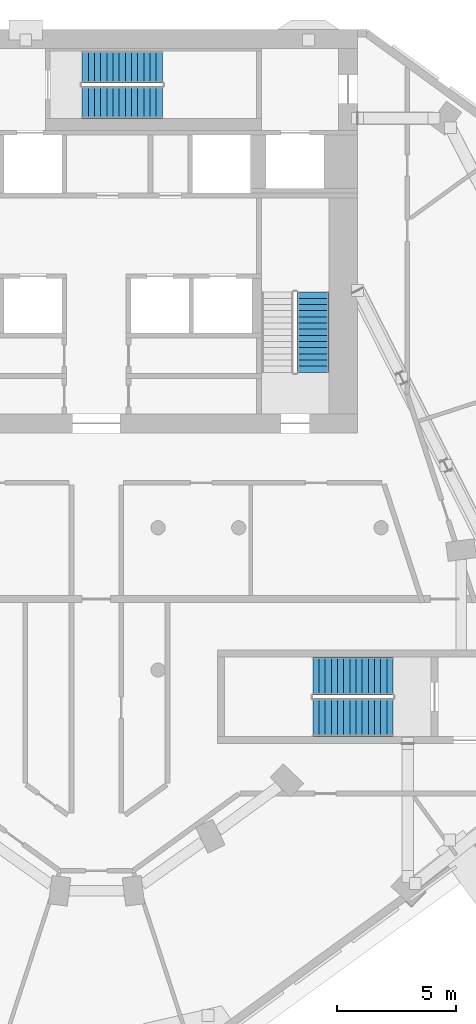
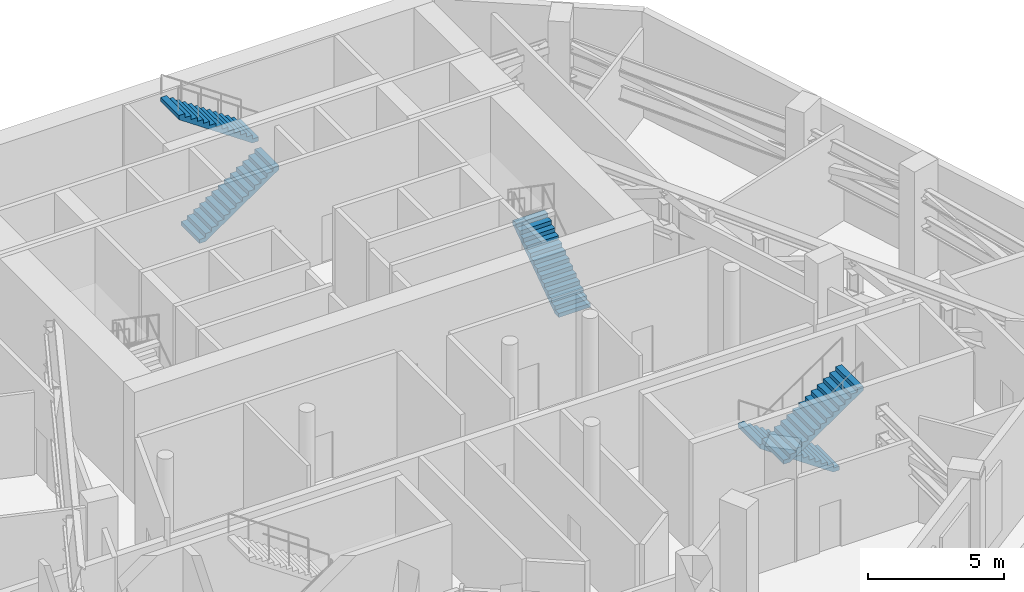
# One storey, part 11 of 16: 5 stair flights, 3 elements without a shape of their own.
"""IFC4 building model written with IfcOpenShell, lengths in metres."""

from ifc_helpers import new_model, si_unit, direction, frame, origin, place, context, subcontext, project, spatial, polyline, outline, extrude, material, layer, layer_set, type_object, element, aggregate, save


model = new_model("IFC4")

# Units and contexts
model_context = context("Model", 3, precision=1e-05, world=origin(), true_north=direction((0.0, 1.0)))
body_context = subcontext(model_context, "Body", "Model", "MODEL_VIEW")
ifc_project = project(units=[si_unit("LENGTHUNIT", "METRE"), si_unit("AREAUNIT", "SQUARE_METRE"), si_unit("VOLUMEUNIT", "CUBIC_METRE"), si_unit("PLANEANGLEUNIT", "RADIAN"), si_unit("MASSUNIT", "GRAM", prefix="KILO")], contexts=[model_context])

# Site, building, storey
site_placement = place(None, origin())
site = spatial("IfcSite", under=ifc_project, at=site_placement, CompositionType="ELEMENT")
building_placement = place(site_placement, origin())
building = spatial("IfcBuilding", under=site, at=building_placement, Name="White Candle Pilgrim Tower", CompositionType="ELEMENT")
storey_placement = place(building_placement, frame((0.0, 0.0, 243.300048828125)))
storey = spatial("IfcBuildingStorey", under=building, at=storey_placement, Name="L57", CompositionType="ELEMENT", Elevation=243.300048828125)

# Stair, stair flight
ifc_material = material(Name="Concrete C40/50", Category="concrete")
stair_type_1 = type_object("IfcStairType", Name="Exit stair 2 flight width 1350 mm", PredefinedType="HALF_TURN_STAIR", material=ifc_material)
stair_1_placement = place(storey_placement, origin())
stair_1 = element("IfcStair", 1, at=stair_1_placement, inside=storey, type_object=stair_type_1, Name="L57 stair 2", PredefinedType="NOTDEFINED")
ifc_layer = layer(ifc_material, 0.14990234375)
ifc_layer_set = layer_set([ifc_layer], Name="Stair flight Concrete C40/50")
stair_flight_type = type_object("IfcStairFlightType", Name="Stair flight Concrete C40/50", PredefinedType="STRAIGHT", material=ifc_layer_set)
stair_flight_1_placement = place(storey_placement, frame((79.125, 73.550048828125, 0.0), z_axis=(0.0, 0.0, 1.0), x_axis=(0.0, 1.0, 0.0)))
stair_flight_1 = element("IfcStairFlight", 2, at=stair_flight_1_placement, type_object=stair_flight_type, Name="ST2 flight 1", NumberOfRisers=14, NumberOfTreads=13, PredefinedType="NOTDEFINED", RiserHeight=0.178571429, TreadLength=0.26, context=body_context, shape_type="SweptSolid", body=[
    extrude(outline(polyline([(0.0, 0.0), (0.0, 0.178466796875), (0.260009765625, 0.178466796875), (0.260009765625, 0.357177734375), (0.52001953125, 0.357177734375), (0.52001953125, 0.53564453125), (0.780029296875, 0.53564453125), (0.780029296875, 0.71435546875), (1.0400390625, 0.71435546875), (1.0400390625, 0.892822265625), (1.300048828125, 0.892822265625), (1.300048828125, 1.071533203125), (1.56005859375, 1.071533203125), (1.56005859375, 1.25), (1.820068359375, 1.25), (1.820068359375, 1.428466796875), (2.080078125, 1.428466796875), (2.080078125, 1.607177734375), (2.340087890625, 1.607177734375), (2.340087890625, 1.78564453125), (2.60009765625, 1.78564453125), (2.60009765625, 1.96435546875), (2.860107421875, 1.96435546875), (2.860107421875, 2.142822265625), (3.1201171875, 2.142822265625), (3.1201171875, 2.321533203125), (3.3798828125, 2.321533203125), (3.3798828125, 2.5), (3.3798828125, 2.1396484375), (0.264892578125, 0.0), (0.0, 0.0)])), frame((0.0, 0.675048828125, 0.0), z_axis=(0.0, -1.0, 0.0), x_axis=(1.0, 0.0, 0.0)), (0.0, 0.0, 1.0), 1.35009765625),
])
aggregate(stair_1, [stair_flight_1])

# Stair, stair flights
stair_type_2 = type_object("IfcStairType", Name="Exit stair 3 flight width 1350 mm", PredefinedType="HALF_TURN_STAIR", material=ifc_material)
stair_2_placement = place(storey_placement, origin())
stair_2 = element("IfcStair", 3, at=stair_2_placement, inside=storey, type_object=stair_type_2, Name="L57 stair 3", PredefinedType="NOTDEFINED")
stair_flight_2_placement = place(storey_placement, frame((69.39990234375, 84.925048828125, 0.0), z_axis=(0.0, 0.0, 1.0), x_axis=(1.0, 0.0, 0.0)))
stair_flight_2 = element("IfcStairFlight", 4, at=stair_flight_2_placement, type_object=stair_flight_type, Name="ST3 flight 1", NumberOfRisers=14, NumberOfTreads=13, PredefinedType="NOTDEFINED", RiserHeight=0.178571429, TreadLength=0.26, context=body_context, shape_type="SweptSolid", body=[
    extrude(outline(polyline([(0.0, 0.0), (0.0, 0.178466796875), (0.260009765625, 0.178466796875), (0.260009765625, 0.357177734375), (0.52001953125, 0.357177734375), (0.52001953125, 0.53564453125), (0.780029296875, 0.53564453125), (0.780029296875, 0.71435546875), (1.0400390625, 0.71435546875), (1.0400390625, 0.892822265625), (1.300048828125, 0.892822265625), (1.300048828125, 1.071533203125), (1.56005859375, 1.071533203125), (1.56005859375, 1.25), (1.820068359375, 1.25), (1.820068359375, 1.428466796875), (2.080078125, 1.428466796875), (2.080078125, 1.607177734375), (2.340087890625, 1.607177734375), (2.340087890625, 1.78564453125), (2.60009765625, 1.78564453125), (2.60009765625, 1.96435546875), (2.860107421875, 1.96435546875), (2.860107421875, 2.142822265625), (3.1201171875, 2.142822265625), (3.1201171875, 2.321533203125), (3.3798828125, 2.321533203125), (3.3798828125, 2.5), (3.3798828125, 2.1396484375), (0.264892578125, 0.0), (0.0, 0.0)])), frame((0.0, 0.675048828125, 0.0), z_axis=(0.0, -1.0, 0.0), x_axis=(1.0, 0.0, 0.0)), (0.0, 0.0, 1.0), 1.35009765625),
])
stair_flight_3_placement = place(storey_placement, frame((72.780029296875, 86.425048828125, 2.5), z_axis=(0.0, 0.0, 1.0), x_axis=(-1.0, 0.0, 0.0)))
stair_flight_3 = element("IfcStairFlight", 5, at=stair_flight_3_placement, type_object=stair_flight_type, Name="ST3 flight 2", NumberOfRisers=14, NumberOfTreads=13, PredefinedType="NOTDEFINED", RiserHeight=0.178571429, TreadLength=0.26, context=body_context, shape_type="SweptSolid", body=[
    extrude(outline(polyline([(0.0, 0.0), (0.0, 0.178466796875), (0.260009765625, 0.178466796875), (0.260009765625, 0.357177734375), (0.52001953125, 0.357177734375), (0.52001953125, 0.53564453125), (0.780029296875, 0.53564453125), (0.780029296875, 0.71435546875), (1.0400390625, 0.71435546875), (1.0400390625, 0.892822265625), (1.300048828125, 0.892822265625), (1.300048828125, 1.071533203125), (1.56005859375, 1.071533203125), (1.56005859375, 1.25), (1.820068359375, 1.25), (1.820068359375, 1.428466796875), (2.080078125, 1.428466796875), (2.080078125, 1.607177734375), (2.340087890625, 1.607177734375), (2.340087890625, 1.78564453125), (2.60009765625, 1.78564453125), (2.60009765625, 1.96435546875), (2.860107421875, 1.96435546875), (2.860107421875, 2.142822265625), (3.1201171875, 2.142822265625), (3.1201171875, 2.321533203125), (3.3798828125, 2.321533203125), (3.3798828125, 2.5), (3.3798828125, 2.1396484375), (0.264892578125, 0.0), (0.0, 0.0)])), frame((0.0, 0.675048828125, 0.0), z_axis=(0.0, -1.0, 0.0), x_axis=(1.0, 0.0, 0.0)), (0.0, 0.0, 1.0), 1.35009765625),
])
aggregate(stair_2, [stair_flight_2, stair_flight_3])

stair_type_3 = type_object("IfcStairType", Name="Exit stair 4 flight width 1600 mm", PredefinedType="HALF_TURN_STAIR", material=ifc_material)
stair_3_placement = place(storey_placement, origin())
stair_3 = element("IfcStair", 6, at=stair_3_placement, inside=storey, type_object=stair_type_3, Name="L57 stair 4", PredefinedType="NOTDEFINED")
stair_flight_4_placement = place(storey_placement, frame((82.5, 60.75, 0.0), z_axis=(0.0, 0.0, 1.0), x_axis=(-1.0, 0.0, 0.0)))
stair_flight_4 = element("IfcStairFlight", 7, at=stair_flight_4_placement, type_object=stair_flight_type, Name="ST4 flight 1", NumberOfRisers=14, NumberOfTreads=13, PredefinedType="NOTDEFINED", RiserHeight=0.178571429, TreadLength=0.26, context=body_context, shape_type="SweptSolid", body=[
    extrude(outline(polyline([(0.0, 0.0), (0.0, 0.178466796875), (0.260009765625, 0.178466796875), (0.260009765625, 0.357177734375), (0.52001953125, 0.357177734375), (0.52001953125, 0.53564453125), (0.780029296875, 0.53564453125), (0.780029296875, 0.71435546875), (1.0400390625, 0.71435546875), (1.0400390625, 0.892822265625), (1.300048828125, 0.892822265625), (1.300048828125, 1.071533203125), (1.56005859375, 1.071533203125), (1.56005859375, 1.25), (1.820068359375, 1.25), (1.820068359375, 1.428466796875), (2.080078125, 1.428466796875), (2.080078125, 1.607177734375), (2.340087890625, 1.607177734375), (2.340087890625, 1.78564453125), (2.60009765625, 1.78564453125), (2.60009765625, 1.96435546875), (2.860107421875, 1.96435546875), (2.860107421875, 2.142822265625), (3.1201171875, 2.142822265625), (3.1201171875, 2.321533203125), (3.3798828125, 2.321533203125), (3.3798828125, 2.5), (3.3798828125, 2.1396484375), (0.264892578125, 0.0), (0.0, 0.0)])), frame((0.0, 0.800048828125, 0.0), z_axis=(0.0, -1.0, 0.0), x_axis=(1.0, 0.0, 0.0)), (0.0, 0.0, 1.0), 1.60009765625),
])
stair_flight_5_placement = place(storey_placement, frame((79.1201171875, 59.0, 2.5), z_axis=(0.0, 0.0, 1.0), x_axis=(1.0, 0.0, 0.0)))
stair_flight_5 = element("IfcStairFlight", 8, at=stair_flight_5_placement, type_object=stair_flight_type, Name="ST4 flight 2", NumberOfRisers=14, NumberOfTreads=13, PredefinedType="NOTDEFINED", RiserHeight=0.178571429, TreadLength=0.26, context=body_context, shape_type="SweptSolid", body=[
    extrude(outline(polyline([(0.0, 0.0), (0.0, 0.178466796875), (0.260009765625, 0.178466796875), (0.260009765625, 0.357177734375), (0.52001953125, 0.357177734375), (0.52001953125, 0.53564453125), (0.780029296875, 0.53564453125), (0.780029296875, 0.71435546875), (1.0400390625, 0.71435546875), (1.0400390625, 0.892822265625), (1.300048828125, 0.892822265625), (1.300048828125, 1.071533203125), (1.56005859375, 1.071533203125), (1.56005859375, 1.25), (1.820068359375, 1.25), (1.820068359375, 1.428466796875), (2.080078125, 1.428466796875), (2.080078125, 1.607177734375), (2.340087890625, 1.607177734375), (2.340087890625, 1.78564453125), (2.60009765625, 1.78564453125), (2.60009765625, 1.96435546875), (2.860107421875, 1.96435546875), (2.860107421875, 2.142822265625), (3.1201171875, 2.142822265625), (3.1201171875, 2.321533203125), (3.3798828125, 2.321533203125), (3.3798828125, 2.5), (3.3798828125, 2.1396484375), (0.264892578125, 0.0), (0.0, 0.0)])), frame((0.0, 0.800048828125, 0.0), z_axis=(0.0, -1.0, 0.0), x_axis=(1.0, 0.0, 0.0)), (0.0, 0.0, 1.0), 1.60009765625),
])
aggregate(stair_3, [stair_flight_4, stair_flight_5])

save(model, "model.ifc")
